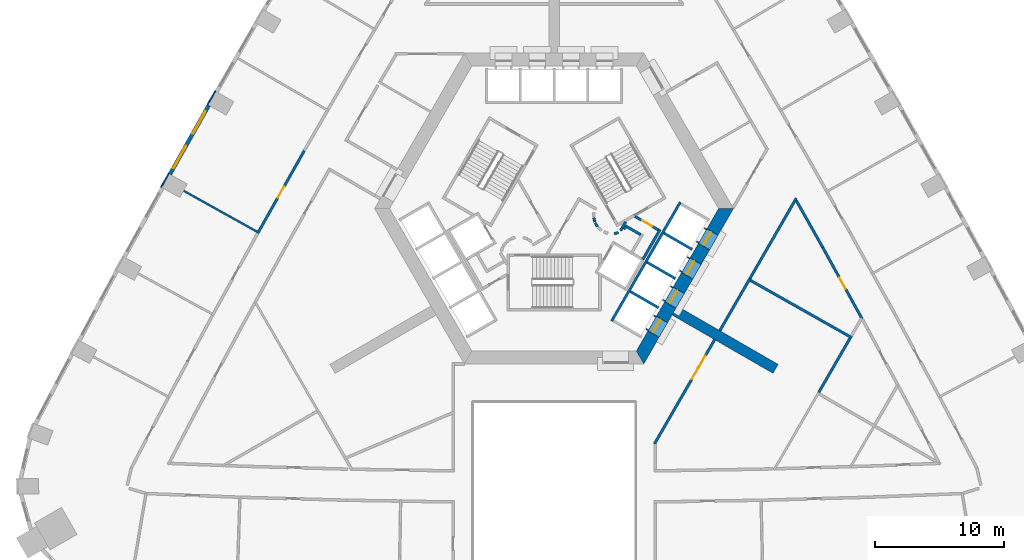
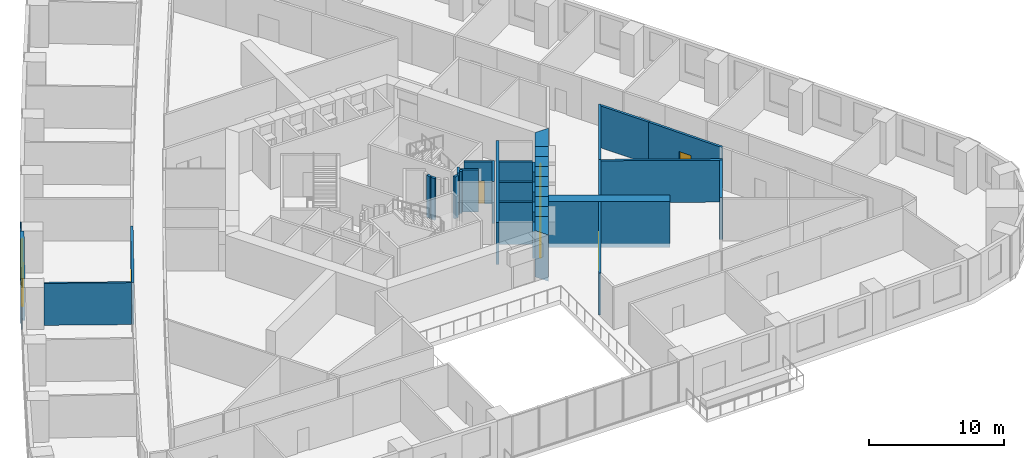
# One storey, part 7 of 15: 38 walls, 9 doors, 2 windows, 11 openings.
"""IFC4 building model written with IfcOpenShell, lengths in metres."""

from ifc_helpers import new_model, si_unit, direction, frame, frame_2d, origin, place, context, subcontext, project, spatial, polyline, rectangle, outline, extrude, material, layer, layer_set, type_object, element, fill, save


model = new_model("IFC4")

# Units and contexts
model_context = context("Model", 3, precision=1e-05, world=origin(), true_north=direction((0.0, 1.0)))
body_context = subcontext(model_context, "Body", "Model", "MODEL_VIEW")
ifc_project = project(units=[si_unit("LENGTHUNIT", "METRE"), si_unit("AREAUNIT", "SQUARE_METRE"), si_unit("VOLUMEUNIT", "CUBIC_METRE"), si_unit("PLANEANGLEUNIT", "RADIAN"), si_unit("MASSUNIT", "GRAM", prefix="KILO")], contexts=[model_context])

# Site, building, storey
site_placement = place(None, origin())
site = spatial("IfcSite", under=ifc_project, at=site_placement, CompositionType="ELEMENT")
building_placement = place(site_placement, origin())
building = spatial("IfcBuilding", under=site, at=building_placement, Name="Entoto Arch Interchange Tower", CompositionType="ELEMENT")
storey_placement = place(building_placement, frame((0.0, 0.0, 39.199951171875)))
storey = spatial("IfcBuildingStorey", under=building, at=storey_placement, Name="L07", CompositionType="ELEMENT", Elevation=39.199951171875)

# Walls
ifc_material_1 = material(Name="Concrete C60/75", Category="concrete")
ifc_layer_1 = layer(ifc_material_1, 0.800048828125)
ifc_layer_set_1 = layer_set([ifc_layer_1], Name="Concrete C60/75")
wall_type_1 = type_object("IfcWallType", Name="Buttress wall 800 C60/75", PredefinedType="SHEAR", material=ifc_layer_set_1)
wall_1_placement = place(storey_placement, frame((9.31005859375, -5.375, -0.39990234375), z_axis=(0.0, 0.0, 1.0), x_axis=(0.866017533419, -0.500013631625, 0.0)))
element("IfcWall", 1, at=wall_1_placement, inside=storey, type_object=wall_type_1, Name="Buttress wall SE L07", PredefinedType="SHEAR", context=body_context, shape_type="SweptSolid", body=[
    extrude(rectangle(XDim=8.999755859375, YDim=0.800048828125, at=frame_2d((4.5, 0.0))), origin(), (0.0, 0.0, 1.0), 4.199951171875),
])
ifc_layer_2 = layer(ifc_material_1, 1.0)
ifc_layer_set_2 = layer_set([ifc_layer_2], Name="Concrete C60/75")
wall_type_2 = type_object("IfcWallType", Name="Core wall 1000 C60/75", PredefinedType="SHEAR", material=ifc_layer_set_2)
wall_2_placement = place(storey_placement, frame((0.0, 0.0, -0.39990234375)))
element("IfcWall", 2, at=wall_2_placement, inside=storey, type_object=wall_type_2, Name="Core wall SE L07", PredefinedType="SHEAR", context=body_context, shape_type="SweptSolid", body=[
    extrude(outline(polyline([(8.116943359375, -7.43994140625), (7.251953125, -6.93994140625), (6.35107421875, -8.5), (6.927978515625, -9.5), (8.116943359375, -7.43994140625)])), origin(), (0.0, 0.0, 1.0), 4.199951171875),
])
wall_3_placement = place(storey_placement, frame((0.0, 0.0, -0.39990234375)))
element("IfcWall", 3, at=wall_3_placement, inside=storey, type_object=wall_type_2, Name="Core wall SE L07", PredefinedType="SHEAR", context=body_context, shape_type="SweptSolid", body=[
    extrude(outline(polyline([(9.4169921875, -5.18896484375), (8.551025390625, -4.68896484375), (7.902099609375, -5.81396484375), (8.76708984375, -6.31396484375), (9.4169921875, -5.18896484375)])), origin(), (0.0, 0.0, 1.0), 4.199951171875),
])
wall_4_placement = place(storey_placement, frame((0.0, 0.0, -0.39990234375)))
element("IfcWall", 4, at=wall_4_placement, inside=storey, type_object=wall_type_2, Name="Core wall SE L07", PredefinedType="SHEAR", context=body_context, shape_type="SweptSolid", body=[
    extrude(outline(polyline([(10.717041015625, -2.93701171875), (9.85107421875, -2.43701171875), (9.200927734375, -3.56298828125), (10.06689453125, -4.06298828125), (10.717041015625, -2.93701171875)])), origin(), (0.0, 0.0, 1.0), 4.199951171875),
])
wall_5_placement = place(storey_placement, frame((0.0, 0.0, -0.39990234375)))
element("IfcWall", 5, at=wall_5_placement, inside=storey, type_object=wall_type_2, Name="Core wall SE L07", PredefinedType="SHEAR", context=body_context, shape_type="SweptSolid", body=[
    extrude(outline(polyline([(12.01708984375, -0.68603515625), (11.15087890625, -0.18603515625), (10.5009765625, -1.31103515625), (11.366943359375, -1.81103515625), (12.01708984375, -0.68603515625)])), origin(), (0.0, 0.0, 1.0), 4.199951171875),
])
wall_6_placement = place(storey_placement, frame((0.0, 0.0, -0.39990234375)))
element("IfcWall", 6, at=wall_6_placement, inside=storey, type_object=wall_type_2, Name="Core wall SE L07", PredefinedType="SHEAR", context=body_context, shape_type="SweptSolid", body=[
    extrude(outline(polyline([(11.801025390625, 0.93994140625), (12.6669921875, 0.43994140625), (13.85595703125, 2.5), (12.701904296875, 2.5), (11.801025390625, 0.93994140625)])), origin(), (0.0, 0.0, 1.0), 4.199951171875),
])
wall_7_placement = place(storey_placement, frame((0.0, 0.0, 3.60009765625)))
element("IfcWall", 7, at=wall_7_placement, inside=storey, type_object=wall_type_2, Name="Core wall lintel SE L07", PredefinedType="SHEAR", context=body_context, shape_type="SweptSolid", body=[
    extrude(outline(polyline([(8.76708984375, -6.31396484375), (7.902099609375, -5.81396484375), (7.251953125, -6.93994140625), (8.116943359375, -7.43994140625), (8.76708984375, -6.31396484375)])), origin(), (0.0, 0.0, 1.0), 0.199951171875),
])
wall_8_placement = place(storey_placement, frame((0.0, 0.0, 3.60009765625)))
element("IfcWall", 8, at=wall_8_placement, inside=storey, type_object=wall_type_2, Name="Core wall lintel SE L07", PredefinedType="SHEAR", context=body_context, shape_type="SweptSolid", body=[
    extrude(outline(polyline([(10.06689453125, -4.06298828125), (9.200927734375, -3.56298828125), (8.551025390625, -4.68896484375), (9.4169921875, -5.18896484375), (10.06689453125, -4.06298828125)])), origin(), (0.0, 0.0, 1.0), 0.199951171875),
])
wall_9_placement = place(storey_placement, frame((0.0, 0.0, 3.60009765625)))
element("IfcWall", 9, at=wall_9_placement, inside=storey, type_object=wall_type_2, Name="Core wall lintel SE L07", PredefinedType="SHEAR", context=body_context, shape_type="SweptSolid", body=[
    extrude(outline(polyline([(11.366943359375, -1.81103515625), (10.5009765625, -1.31103515625), (9.85107421875, -2.43701171875), (10.717041015625, -2.93701171875), (11.366943359375, -1.81103515625)])), origin(), (0.0, 0.0, 1.0), 0.199951171875),
])
wall_10_placement = place(storey_placement, frame((0.0, 0.0, 3.60009765625)))
element("IfcWall", 10, at=wall_10_placement, inside=storey, type_object=wall_type_2, Name="Core wall lintel SE L07", PredefinedType="SHEAR", context=body_context, shape_type="SweptSolid", body=[
    extrude(outline(polyline([(12.6669921875, 0.43994140625), (11.801025390625, 0.93994140625), (11.15087890625, -0.18603515625), (12.01708984375, -0.68603515625), (12.6669921875, 0.43994140625)])), origin(), (0.0, 0.0, 1.0), 0.199951171875),
])

# Wall, opening, door
ifc_material_2 = material(Name="Concrete C40/50", Category="concrete")
ifc_layer_3 = layer(ifc_material_2, 1.199951171875)
ifc_layer_set_3 = layer_set([ifc_layer_3], Name="Concrete C40/50")
wall_type_3 = type_object("IfcWallType", Name="LIFT LANDING INFILL WALL", PredefinedType="STANDARD", material=ifc_layer_set_3)
wall_11_placement = place(storey_placement, frame((7.597900390625, -7.139892578125, 0.0), z_axis=(0.0, 0.0, 1.0), x_axis=(0.500362116554, 0.865816234728, 0.0)))
wall_11 = element("IfcWall", 11, at=wall_11_placement, inside=storey, type_object=wall_type_3, Name="Lift landing infill wall LR5 L07", PredefinedType="STANDARD", context=body_context, shape_type="SweptSolid", body=[
    extrude(rectangle(XDim=1.29931640625, YDim=1.199951171875, at=frame_2d((0.649658203125, 0.0))), origin(), (0.0, 0.0, 1.0), 2.400146484375),
])
opening_1_placement = place(wall_11_placement, frame((0.10009765625, 0.0, 0.0)))
opening_1 = element("IfcOpeningElement", 12, at=opening_1_placement, cuts=wall_11, Name="Opening LD-LR5-L07", PredefinedType="OPENING", context=body_context, shape_type="SweptSolid", body=[
    extrude(rectangle(XDim=1.10009765625, YDim=2.300048828125, at=frame_2d((0.550048828125, 1.14990234375))), frame((0.0, 0.60986328125, 0.0), z_axis=(0.0, -1.0, 0.0), x_axis=(1.0, 0.0, 0.0)), (0.0, 0.0, 1.0), 1.219970703125),
])
ifc_material_3 = material(Name="Stainless steel 1.4301 panels", Category="steel")
door_type_1 = type_object("IfcDoorType", Name="LIFT LANDING DOOR LD2 1100x2300", OperationType="SLIDING_TO_LEFT", PredefinedType="DOOR", material=ifc_material_3)
door_1_placement = place(opening_1_placement, origin())
door_1 = element("IfcDoor", 13, at=door_1_placement, inside=storey, type_object=door_type_1, Name="Lift landing door LR5 L07", OperationType="SLIDING_TO_LEFT", OverallHeight=2.300048828125, OverallWidth=1.10009765625, PredefinedType="DOOR", context=body_context, shape_type="SweptSolid", body=[
    extrude(rectangle(XDim=1.10009765625, YDim=2.300048828125, at=frame_2d((0.550048828125, 1.14990234375))), frame((0.0, 0.02490234375, 0.0), z_axis=(0.0, -1.0, 0.0), x_axis=(1.0, 0.0, 0.0)), (0.0, 0.0, 1.0), 0.050048828125),
])
fill(opening_1, door_1)

wall_12_placement = place(storey_placement, frame((8.89794921875, -4.888916015625, 0.0), z_axis=(0.0, 0.0, 1.0), x_axis=(0.500036693733, 0.866004217611, 0.0)))
wall_12 = element("IfcWall", 14, at=wall_12_placement, inside=storey, type_object=wall_type_3, Name="Lift landing infill wall LR6 L07", PredefinedType="STANDARD", context=body_context, shape_type="SweptSolid", body=[
    extrude(rectangle(XDim=1.30029296875, YDim=1.199951171875, at=frame_2d((0.650146484375, 0.0))), origin(), (0.0, 0.0, 1.0), 2.400146484375),
])
opening_2_placement = place(wall_12_placement, frame((0.10009765625, 0.0, 0.0)))
opening_2 = element("IfcOpeningElement", 15, at=opening_2_placement, cuts=wall_12, Name="Opening LD-LR6-L07", PredefinedType="OPENING", context=body_context, shape_type="SweptSolid", body=[
    extrude(rectangle(XDim=1.10009765625, YDim=2.300048828125, at=frame_2d((0.550048828125, 1.14990234375))), frame((0.0, 0.60986328125, 0.0), z_axis=(0.0, -1.0, 0.0), x_axis=(1.0, 0.0, 0.0)), (0.0, 0.0, 1.0), 1.219970703125),
])
door_2_placement = place(opening_2_placement, origin())
door_2 = element("IfcDoor", 16, at=door_2_placement, inside=storey, type_object=door_type_1, Name="Lift landing door LR6 L07", OperationType="SLIDING_TO_LEFT", OverallHeight=2.300048828125, OverallWidth=1.10009765625, PredefinedType="DOOR", context=body_context, shape_type="SweptSolid", body=[
    extrude(rectangle(XDim=1.10009765625, YDim=2.300048828125, at=frame_2d((0.550048828125, 1.14990234375))), frame((0.0, 0.02490234375, 0.0), z_axis=(0.0, -1.0, 0.0), x_axis=(1.0, 0.0, 0.0)), (0.0, 0.0, 1.0), 0.050048828125),
])
fill(opening_2, door_2)

wall_13_placement = place(storey_placement, frame((10.197998046875, -2.636962890625, 0.0), z_axis=(0.0, 0.0, 1.0), x_axis=(0.49989585183, 0.866085525409, 0.0)))
wall_13 = element("IfcWall", 17, at=wall_13_placement, inside=storey, type_object=wall_type_3, Name="Lift landing infill wall LR7 L07", PredefinedType="STANDARD", context=body_context, shape_type="SweptSolid", body=[
    extrude(rectangle(XDim=1.300048828125, YDim=1.199951171875, at=frame_2d((0.64990234375, 0.0))), origin(), (0.0, 0.0, 1.0), 2.400146484375),
])
opening_3_placement = place(wall_13_placement, frame((0.10009765625, 0.0, 0.0)))
opening_3 = element("IfcOpeningElement", 18, at=opening_3_placement, cuts=wall_13, Name="Opening LD-LR7-L07", PredefinedType="OPENING", context=body_context, shape_type="SweptSolid", body=[
    extrude(rectangle(XDim=1.10009765625, YDim=2.300048828125, at=frame_2d((0.550048828125, 1.14990234375))), frame((0.0, 0.60986328125, 0.0), z_axis=(0.0, -1.0, 0.0), x_axis=(1.0, 0.0, 0.0)), (0.0, 0.0, 1.0), 1.219970703125),
])
door_3_placement = place(opening_3_placement, origin())
door_3 = element("IfcDoor", 19, at=door_3_placement, inside=storey, type_object=door_type_1, Name="Lift landing door LR7 L07", OperationType="SLIDING_TO_LEFT", OverallHeight=2.300048828125, OverallWidth=1.10009765625, PredefinedType="DOOR", context=body_context, shape_type="SweptSolid", body=[
    extrude(rectangle(XDim=1.10009765625, YDim=2.300048828125, at=frame_2d((0.550048828125, 1.14990234375))), frame((0.0, 0.02490234375, 0.0), z_axis=(0.0, -1.0, 0.0), x_axis=(1.0, 0.0, 0.0)), (0.0, 0.0, 1.0), 0.050048828125),
])
fill(opening_3, door_3)

wall_14_placement = place(storey_placement, frame((11.498046875, -0.385009765625, 0.0), z_axis=(0.0, 0.0, 1.0), x_axis=(0.500221244143, 0.865897630733, 0.0)))
wall_14 = element("IfcWall", 20, at=wall_14_placement, inside=storey, type_object=wall_type_3, Name="Lift landing infill wall LR8 L07", PredefinedType="STANDARD", context=body_context, shape_type="SweptSolid", body=[
    extrude(rectangle(XDim=1.29931640625, YDim=1.199951171875, at=frame_2d((0.649658203125, 0.0))), origin(), (0.0, 0.0, 1.0), 2.400146484375),
])
opening_4_placement = place(wall_14_placement, frame((0.10009765625, 0.0, 0.0)))
opening_4 = element("IfcOpeningElement", 21, at=opening_4_placement, cuts=wall_14, Name="Opening LD-LR8-L07", PredefinedType="OPENING", context=body_context, shape_type="SweptSolid", body=[
    extrude(rectangle(XDim=1.10009765625, YDim=2.300048828125, at=frame_2d((0.550048828125, 1.14990234375))), frame((0.0, 0.60986328125, 0.0), z_axis=(0.0, -1.0, 0.0), x_axis=(1.0, 0.0, 0.0)), (0.0, 0.0, 1.0), 1.219970703125),
])
door_4_placement = place(opening_4_placement, origin())
door_4 = element("IfcDoor", 22, at=door_4_placement, inside=storey, type_object=door_type_1, Name="Lift landing door LR8 L07", OperationType="SLIDING_TO_LEFT", OverallHeight=2.300048828125, OverallWidth=1.10009765625, PredefinedType="DOOR", context=body_context, shape_type="SweptSolid", body=[
    extrude(rectangle(XDim=1.10009765625, YDim=2.300048828125, at=frame_2d((0.550048828125, 1.14990234375))), frame((0.0, 0.02490234375, 0.0), z_axis=(0.0, -1.0, 0.0), x_axis=(1.0, 0.0, 0.0)), (0.0, 0.0, 1.0), 0.050048828125),
])
fill(opening_4, door_4)

# Walls
ifc_layer_4 = layer(ifc_material_2, 0.199951171875)
ifc_layer_set_4 = layer_set([ifc_layer_4], Name="Concrete C40/50")
wall_type_4 = type_object("IfcWallType", Name="LIFT SHAFT WALL 200", PredefinedType="STANDARD", material=ifc_layer_set_4)
wall_15_placement = place(storey_placement, frame((4.450927734375, -6.18994140625, 0.0), z_axis=(0.0, 0.0, 1.0), x_axis=(0.50000090737, 0.866024879913, 0.0)))
element("IfcWall", 23, at=wall_15_placement, inside=storey, type_object=wall_type_4, Name="Shaft wall SE3 front", PredefinedType="STANDARD", context=body_context, shape_type="SweptSolid", body=[
    extrude(rectangle(XDim=10.60009765625, YDim=0.199951171875, at=frame_2d((5.300048828125, 0.0))), origin(), (0.0, 0.0, 1.0), 3.800048828125),
])
for number, where, z_axis, x_axis, name in (
    (24, (5.887939453125, -3.902099609375, 0.0), (0.0, 0.0, 1.0), (0.866022959057, -0.500004234368, 0.0), "Shaft wall SE3 cross 2"),
    (25, (7.18798828125, -1.64990234375, 0.0), (0.0, 0.0, 1.0), (0.866022959057, -0.500004234368, 0.0), "Shaft wall SE3 cross 3"),
    (26, (8.488037109375, 0.60205078125, 0.0), (0.0, 0.0, 1.0), (0.866022959057, -0.500004234368, 0.0), "Shaft wall SE3 cross 4"),
):
    element("IfcWall", number, at=place(storey_placement, frame(where, z_axis=z_axis, x_axis=x_axis)), inside=storey, type_object=wall_type_4, Name=name, PredefinedType="STANDARD", context=body_context, shape_type="SweptSolid", body=[
        extrude(rectangle(XDim=2.5, YDim=0.199951171875, at=frame_2d((1.25, 0.0))), origin(), (0.0, 0.0, 1.0), 3.800048828125),
    ])
ifc_material_4 = material(Name="Gypsum board partition on steel studs", Category="steel")
ifc_layer_5 = layer(ifc_material_4, 0.14990234375)
ifc_layer_set_5 = layer_set([ifc_layer_5], Name="Gypsum board partition on steel studs")
wall_type_5 = type_object("IfcWallType", Name="PARTITION 150", PredefinedType="PARTITIONING", material=ifc_layer_set_5)
wall_16_placement = place(storey_placement, frame((-22.93505859375, 0.7119140625, 0.0), z_axis=(0.0, 0.0, 1.0), x_axis=(-0.873395616379, 0.487011393389, 0.0)))
element("IfcWall", 27, at=wall_16_placement, inside=storey, type_object=wall_type_5, Name="wall:L07:p141", PredefinedType="PARTITIONING", context=body_context, shape_type="SweptSolid", body=[
    extrude(rectangle(XDim=6.48046875, YDim=0.14990234375, at=frame_2d((3.240234375, 0.0))), origin(), (0.0, 0.0, 1.0), 3.800048828125),
])

# Wall, opening, door
ifc_layer_6 = layer(ifc_material_4, 0.199951171875)
ifc_layer_set_6 = layer_set([ifc_layer_6], Name="Gypsum board partition on steel studs")
wall_type_6 = type_object("IfcWallType", Name="PARTITION 200", PredefinedType="PARTITIONING", material=ifc_layer_set_6)
wall_17_placement = place(storey_placement, frame((23.802978515625, -6.0439453125, 0.0), z_axis=(0.0, 0.0, 1.0), x_axis=(-0.482588436287, 0.875847247619, 0.0)))
wall_17 = element("IfcWall", 28, at=wall_17_placement, inside=storey, type_object=wall_type_6, Name="wall:L07:p016", PredefinedType="PARTITIONING", context=body_context, shape_type="SweptSolid", body=[
    extrude(rectangle(XDim=6.32421875, YDim=0.199951171875, at=frame_2d((3.162109375, 0.0))), origin(), (0.0, 0.0, 1.0), 3.800048828125),
])
opening_5_placement = place(wall_17_placement, frame((2.662109375, 0.0, 0.0)))
opening_5 = element("IfcOpeningElement", 29, at=opening_5_placement, cuts=wall_17, Name="Opening L07-D24", PredefinedType="OPENING", context=body_context, shape_type="SweptSolid", body=[
    extrude(rectangle(XDim=1.0, YDim=2.10009765625, at=frame_2d((0.5, 1.050048828125))), frame((0.0, 0.10986328125, 0.0), z_axis=(0.0, -1.0, 0.0), x_axis=(1.0, 0.0, 0.0)), (0.0, 0.0, 1.0), 0.219970703125),
])
ifc_material_5 = material(Name="Timber door leaf in Steel S235 frame", Category="steel")
door_type_2 = type_object("IfcDoorType", Name="DOOR DS-10 1000x2100", OperationType="SINGLE_SWING_LEFT", PredefinedType="DOOR", material=ifc_material_5)
door_5_placement = place(opening_5_placement, origin())
door_5 = element("IfcDoor", 30, at=door_5_placement, inside=storey, type_object=door_type_2, Name="door:L07:24", OperationType="SINGLE_SWING_LEFT", OverallHeight=2.10009765625, OverallWidth=1.0, PredefinedType="DOOR", context=body_context, shape_type="SweptSolid", body=[
    extrude(rectangle(XDim=1.0, YDim=2.10009765625, at=frame_2d((0.5, 1.050048828125))), frame((0.0, 0.02490234375, 0.0), z_axis=(0.0, -1.0, 0.0), x_axis=(1.0, 0.0, 0.0)), (0.0, 0.0, 1.0), 0.050048828125),
])
fill(opening_5, door_5)

# Wall
wall_18_placement = place(storey_placement, frame((20.7509765625, -0.5048828125, 0.0), z_axis=(0.0, 0.0, 1.0), x_axis=(-0.491284712602, 0.870999041999, 0.0)))
element("IfcWall", 31, at=wall_18_placement, inside=storey, type_object=wall_type_6, Name="wall:L07:p017", PredefinedType="PARTITIONING", context=body_context, shape_type="SweptSolid", body=[
    extrude(rectangle(XDim=4.166259765625, YDim=0.199951171875, at=frame_2d((2.0830078125, 0.0))), origin(), (0.0, 0.0, 1.0), 3.800048828125),
])

# Wall, opening, door
wall_19_placement = place(storey_placement, frame((-22.884033203125, 0.597900390625, 0.0), z_axis=(0.0, 0.0, 1.0), x_axis=(0.491206176175, 0.871043335597, 0.0)))
wall_19 = element("IfcWall", 32, at=wall_19_placement, inside=storey, type_object=wall_type_6, Name="wall:L07:p062", PredefinedType="PARTITIONING", context=body_context, shape_type="SweptSolid", body=[
    extrude(rectangle(XDim=7.308837890625, YDim=0.199951171875, at=frame_2d((3.654296875, 0.0))), origin(), (0.0, 0.0, 1.0), 3.800048828125),
])
opening_6_placement = place(wall_19_placement, frame((3.154052734375, 0.0, 0.0)))
opening_6 = element("IfcOpeningElement", 33, at=opening_6_placement, cuts=wall_19, Name="Opening L07-D16", PredefinedType="OPENING", context=body_context, shape_type="SweptSolid", body=[
    extrude(rectangle(XDim=1.0, YDim=2.10009765625, at=frame_2d((0.5, 1.050048828125))), frame((0.0, 0.10986328125, 0.0), z_axis=(0.0, -1.0, 0.0), x_axis=(1.0, 0.0, 0.0)), (0.0, 0.0, 1.0), 0.219970703125),
])
door_6_placement = place(opening_6_placement, origin())
door_6 = element("IfcDoor", 34, at=door_6_placement, inside=storey, type_object=door_type_2, Name="door:L07:16", OperationType="SINGLE_SWING_RIGHT", OverallHeight=2.10009765625, OverallWidth=1.0, PredefinedType="DOOR", context=body_context, shape_type="SweptSolid", body=[
    extrude(rectangle(XDim=1.0, YDim=2.10009765625, at=frame_2d((0.5, 1.050048828125))), frame((0.0, 0.02490234375, 0.0), z_axis=(0.0, -1.0, 0.0), x_axis=(1.0, 0.0, 0.0)), (0.0, 0.0, 1.0), 0.050048828125),
])
fill(opening_6, door_6)

# Walls
wall_20_placement = place(storey_placement, frame((5.389892578125, 0.89794921875, 0.0), z_axis=(0.0, 0.0, 1.0), x_axis=(0.673828488714, 0.738887791073, 0.0)))
element("IfcWall", 35, at=wall_20_placement, inside=storey, type_object=wall_type_6, Name="wall:L07:p073", PredefinedType="PARTITIONING", context=body_context, shape_type="SweptSolid", body=[
    extrude(rectangle(XDim=0.2626953125, YDim=0.199951171875, at=frame_2d((0.13134765625, 0.0))), origin(), (0.0, 0.0, 1.0), 3.800048828125),
])
wall_21_placement = place(storey_placement, frame((5.4990234375, 1.172119140625, 0.0), z_axis=(0.0, 0.0, 1.0), x_axis=(0.866333505267, -0.499465972466, 0.0)))
element("IfcWall", 36, at=wall_21_placement, inside=storey, type_object=wall_type_6, Name="wall:L07:p074", PredefinedType="PARTITIONING", context=body_context, shape_type="SweptSolid", body=[
    extrude(rectangle(XDim=1.37353515625, YDim=0.199951171875, at=frame_2d((0.686767578125, 0.0))), origin(), (0.0, 0.0, 1.0), 3.800048828125),
])

# Wall, opening, door
wall_22_placement = place(storey_placement, frame((6.25, 1.89404296875, 0.0), z_axis=(0.0, 0.0, 1.0), x_axis=(0.866043184279, -0.499969202016, 0.0)))
wall_22 = element("IfcWall", 37, at=wall_22_placement, inside=storey, type_object=wall_type_6, Name="wall:L07:p076", PredefinedType="PARTITIONING", context=body_context, shape_type="SweptSolid", body=[
    extrude(rectangle(XDim=2.084228515625, YDim=0.199951171875, at=frame_2d((1.0419921875, 0.0))), origin(), (0.0, 0.0, 1.0), 3.800048828125),
])
opening_7_placement = place(wall_22_placement, frame((0.64208984375, 0.0, 0.0)))
opening_7 = element("IfcOpeningElement", 38, at=opening_7_placement, cuts=wall_22, Name="Opening L07-D40", PredefinedType="OPENING", context=body_context, shape_type="SweptSolid", body=[
    extrude(rectangle(XDim=0.89990234375, YDim=2.10009765625, at=frame_2d((0.449951171875, 1.050048828125))), frame((0.0, 0.10986328125, 0.0), z_axis=(0.0, -1.0, 0.0), x_axis=(1.0, 0.0, 0.0)), (0.0, 0.0, 1.0), 0.219970703125),
])
door_type_3 = type_object("IfcDoorType", Name="DOOR DS-09 900x2100", OperationType="SINGLE_SWING_LEFT", PredefinedType="DOOR", material=ifc_material_5)
door_7_placement = place(opening_7_placement, origin())
door_7 = element("IfcDoor", 39, at=door_7_placement, inside=storey, type_object=door_type_3, Name="door:L07:40", OperationType="SINGLE_SWING_LEFT", OverallHeight=2.10009765625, OverallWidth=0.89990234375, PredefinedType="DOOR", context=body_context, shape_type="SweptSolid", body=[
    extrude(rectangle(XDim=0.89990234375, YDim=2.10009765625, at=frame_2d((0.449951171875, 1.050048828125))), frame((0.0, 0.02490234375, 0.0), z_axis=(0.0, -1.0, 0.0), x_axis=(1.0, 0.0, 0.0)), (0.0, 0.0, 1.0), 0.050048828125),
])
fill(opening_7, door_7)

# Walls
wall_23_placement = place(storey_placement, frame((8.19189453125, 0.887939453125, 0.0), z_axis=(0.0, 0.0, 1.0), x_axis=(-0.499940625693, -0.866059680843, 0.0)))
element("IfcWall", 40, at=wall_23_placement, inside=storey, type_object=wall_type_6, Name="wall:L07:p077", PredefinedType="PARTITIONING", context=body_context, shape_type="SweptSolid", body=[
    extrude(rectangle(XDim=2.679931640625, YDim=0.199951171875, at=frame_2d((1.33984375, 0.0))), origin(), (0.0, 0.0, 1.0), 3.800048828125),
])
wall_24_placement = place(storey_placement, frame((5.135009765625, 0.79296875, 0.0), z_axis=(0.0, 0.0, 1.0), x_axis=(0.499526442893, 0.866298639529, 0.0)))
element("IfcWall", 41, at=wall_24_placement, inside=storey, type_object=wall_type_6, Name="wall:L07:p078", PredefinedType="PARTITIONING", context=body_context, shape_type="SweptSolid", body=[
    extrude(rectangle(XDim=0.790771484375, YDim=0.199951171875, at=frame_2d((0.3955078125, 0.0))), origin(), (0.0, 0.0, 1.0), 3.800048828125),
])
wall_25_placement = place(storey_placement, frame((3.070068359375, 1.785888671875, 0.0), z_axis=(0.0, 0.0, 1.0), x_axis=(0.242705583207, -0.970099994784, 0.0)))
element("IfcWall", 42, at=wall_25_placement, inside=storey, type_object=wall_type_6, Name="wall:L07:p091", PredefinedType="PARTITIONING", context=body_context, shape_type="SweptSolid", body=[
    extrude(rectangle(XDim=0.337890625, YDim=0.199951171875, at=frame_2d((0.1689453125, 0.0))), origin(), (0.0, 0.0, 1.0), 3.800048828125),
])
wall_26_placement = place(storey_placement, frame((3.181884765625, 1.387939453125, 0.0), z_axis=(0.0, 0.0, 1.0), x_axis=(0.512474702713, -0.85870232274, 0.0)))
element("IfcWall", 43, at=wall_26_placement, inside=storey, type_object=wall_type_6, Name="wall:L07:p092", PredefinedType="PARTITIONING", context=body_context, shape_type="SweptSolid", body=[
    extrude(rectangle(XDim=0.337646484375, YDim=0.199951171875, at=frame_2d((0.1689453125, 0.0))), origin(), (0.0, 0.0, 1.0), 3.800048828125),
])
wall_27_placement = place(storey_placement, frame((4.64404296875, 0.56396484375, 0.0), z_axis=(0.0, 0.0, 1.0), x_axis=(0.969929076366, 0.243387729394, 0.0)))
element("IfcWall", 44, at=wall_27_placement, inside=storey, type_object=wall_type_6, Name="wall:L07:p095", PredefinedType="PARTITIONING", context=body_context, shape_type="SweptSolid", body=[
    extrude(rectangle(XDim=0.337158203125, YDim=0.199951171875, at=frame_2d((0.16845703125, 0.0))), origin(), (0.0, 0.0, 1.0), 3.800048828125),
])
wall_28_placement = place(storey_placement, frame((15.1220703125, -2.907958984375, 0.0), z_axis=(0.0, 0.0, 1.0), x_axis=(-0.499922740561, -0.866070004948, 0.0)))
element("IfcWall", 45, at=wall_28_placement, inside=storey, type_object=wall_type_6, Name="wall:L07:p111", PredefinedType="PARTITIONING", context=body_context, shape_type="SweptSolid", body=[
    extrude(rectangle(XDim=4.642822265625, YDim=0.199951171875, at=frame_2d((2.3212890625, 0.0))), origin(), (0.0, 0.0, 1.0), 3.800048828125),
])
wall_29_placement = place(storey_placement, frame((18.705078125, 3.298095703125, 0.0), z_axis=(0.0, 0.0, 1.0), x_axis=(-0.499993769413, -0.866029000986, 0.0)))
element("IfcWall", 46, at=wall_29_placement, inside=storey, type_object=wall_type_6, Name="wall:L07:p112", PredefinedType="PARTITIONING", context=body_context, shape_type="SweptSolid", body=[
    extrude(rectangle(XDim=7.166015625, YDim=0.199951171875, at=frame_2d((3.5830078125, 0.0))), origin(), (0.0, 0.0, 1.0), 3.800048828125),
])
wall_30_placement = place(storey_placement, frame((15.072021484375, -2.993896484375, 0.0), z_axis=(0.0, 0.0, 1.0), x_axis=(0.87054185148, -0.49209438609, 0.0)))
element("IfcWall", 47, at=wall_30_placement, inside=storey, type_object=wall_type_6, Name="wall:L07:p113", PredefinedType="PARTITIONING", context=body_context, shape_type="SweptSolid", body=[
    extrude(rectangle(XDim=9.099853515625, YDim=0.199951171875, at=frame_2d((4.5498046875, 0.0))), origin(), (0.0, 0.0, 1.0), 3.800048828125),
])
wall_31_placement = place(storey_placement, frame((22.85693359375, -7.510009765625, 0.0), z_axis=(0.0, 0.0, 1.0), x_axis=(-0.499954636112, -0.866051593054, 0.0)))
element("IfcWall", 48, at=wall_31_placement, inside=storey, type_object=wall_type_6, Name="wall:L07:p115", PredefinedType="PARTITIONING", context=body_context, shape_type="SweptSolid", body=[
    extrude(rectangle(XDim=4.82421875, YDim=0.199951171875, at=frame_2d((2.412109375, 0.0))), origin(), (0.0, 0.0, 1.0), 3.800048828125),
])

# Wall, openings, doors
wall_32_placement = place(storey_placement, frame((12.40087890625, -7.62109375, 0.0), z_axis=(0.0, 0.0, 1.0), x_axis=(-0.499983724212, -0.866034800411, 0.0)))
wall_32 = element("IfcWall", 49, at=wall_32_placement, inside=storey, type_object=wall_type_6, Name="wall:L07:p111", PredefinedType="PARTITIONING", context=body_context, shape_type="SweptSolid", body=[
    extrude(rectangle(XDim=9.302001953125, YDim=0.199951171875, at=frame_2d((4.65087890625, 0.0))), origin(), (0.0, 0.0, 1.0), 3.800048828125),
])
opening_8_placement = place(wall_32_placement, frame((1.428955078125, 0.0, 0.0)))
opening_8 = element("IfcOpeningElement", 50, at=opening_8_placement, cuts=wall_32, Name="Opening L07-D23", PredefinedType="OPENING", context=body_context, shape_type="SweptSolid", body=[
    extrude(rectangle(XDim=1.0, YDim=2.10009765625, at=frame_2d((0.5, 1.050048828125))), frame((0.0, 0.10986328125, 0.0), z_axis=(0.0, -1.0, 0.0), x_axis=(1.0, 0.0, 0.0)), (0.0, 0.0, 1.0), 0.219970703125),
])
opening_9_placement = place(wall_32_placement, frame((2.529052734375, 0.0, 0.0)))
opening_9 = element("IfcOpeningElement", 51, at=opening_9_placement, cuts=wall_32, Name="Opening L07-D42", PredefinedType="OPENING", context=body_context, shape_type="SweptSolid", body=[
    extrude(rectangle(XDim=1.0, YDim=2.10009765625, at=frame_2d((0.5, 1.050048828125))), frame((0.0, 0.10986328125, 0.0), z_axis=(0.0, -1.0, 0.0), x_axis=(1.0, 0.0, 0.0)), (0.0, 0.0, 1.0), 0.219970703125),
])
door_8_placement = place(opening_8_placement, origin())
door_8 = element("IfcDoor", 52, at=door_8_placement, inside=storey, type_object=door_type_2, Name="door:L07:23", OperationType="SINGLE_SWING_LEFT", OverallHeight=2.10009765625, OverallWidth=1.0, PredefinedType="DOOR", context=body_context, shape_type="SweptSolid", body=[
    extrude(rectangle(XDim=1.0, YDim=2.10009765625, at=frame_2d((0.5, 1.050048828125))), frame((0.0, 0.02490234375, 0.0), z_axis=(0.0, -1.0, 0.0), x_axis=(1.0, 0.0, 0.0)), (0.0, 0.0, 1.0), 0.050048828125),
])
fill(opening_8, door_8)
door_9_placement = place(opening_9_placement, origin())
door_9 = element("IfcDoor", 53, at=door_9_placement, inside=storey, type_object=door_type_2, Name="door:L07:42", OperationType="SINGLE_SWING_RIGHT", OverallHeight=2.10009765625, OverallWidth=1.0, PredefinedType="DOOR", context=body_context, shape_type="SweptSolid", body=[
    extrude(rectangle(XDim=1.0, YDim=2.10009765625, at=frame_2d((0.5, 1.050048828125))), frame((0.0, 0.02490234375, 0.0), z_axis=(0.0, -1.0, 0.0), x_axis=(1.0, 0.0, 0.0)), (0.0, 0.0, 1.0), 0.050048828125),
])
fill(opening_9, door_9)

# Wall, openings, windows
ifc_material_6 = material(Name="Welded tuff (ignimbrite) cladding, warm buff", Category="masonry")
ifc_layer_7 = layer(ifc_material_6, 0.300048828125)
ifc_layer_set_7 = layer_set([ifc_layer_7], Name="Welded tuff (ignimbrite) cladding, warm buff")
wall_type_7 = type_object("IfcWallType", Name="STONE INFILL WALL 300", PredefinedType="STANDARD", material=ifc_layer_set_7)
wall_33_placement = place(storey_placement, frame((-26.6669921875, 10.48193359375, 0.0), z_axis=(0.0, 0.0, 1.0), x_axis=(-0.491278487323, -0.871002553322, 0.0)))
wall_33 = element("IfcWall", 54, at=wall_33_placement, inside=storey, type_object=wall_type_7, Name="Facade wall NW-06 L07", PredefinedType="STANDARD", context=body_context, shape_type="SweptSolid", body=[
    extrude(rectangle(XDim=6.116943359375, YDim=0.300048828125, at=frame_2d((3.05859375, 0.0))), origin(), (0.0, 0.0, 1.0), 3.800048828125),
])
opening_10_placement = place(wall_33_placement, frame((0.529052734375, 0.0, 0.89990234375)))
opening_10 = element("IfcOpeningElement", 55, at=opening_10_placement, cuts=wall_33, Name="Opening WO-C", PredefinedType="OPENING", context=body_context, shape_type="SweptSolid", body=[
    extrude(rectangle(XDim=2.0, YDim=2.60009765625, at=frame_2d((1.0, 1.300048828125))), frame((0.0, 0.16015625, 0.0), z_axis=(0.0, -1.0, 0.0), x_axis=(1.0, 0.0, 0.0)), (0.0, 0.0, 1.0), 0.320068359375),
])
opening_11_placement = place(wall_33_placement, frame((3.587890625, 0.0, 0.89990234375)))
opening_11 = element("IfcOpeningElement", 56, at=opening_11_placement, cuts=wall_33, Name="Opening WO-C", PredefinedType="OPENING", context=body_context, shape_type="SweptSolid", body=[
    extrude(rectangle(XDim=2.0, YDim=2.60009765625, at=frame_2d((1.0, 1.300048828125))), frame((0.0, 0.16015625, 0.0), z_axis=(0.0, -1.0, 0.0), x_axis=(1.0, 0.0, 0.0)), (0.0, 0.0, 1.0), 0.320068359375),
])
ifc_material_7 = material(Name="Clear glass, low-e double glazed", Category="glass")
window_type = type_object("IfcWindowType", Name="WINDOW WO-C 2000x2600", PartitioningType="DOUBLE_PANEL_VERTICAL", PredefinedType="WINDOW", material=ifc_material_7)
window_1_placement = place(opening_10_placement, origin())
window_1 = element("IfcWindow", 57, at=window_1_placement, inside=storey, type_object=window_type, Name="Window WO-C NW-06 L07", OverallHeight=2.60009765625, OverallWidth=2.0, PartitioningType="SINGLE_PANEL", PredefinedType="WINDOW", context=body_context, shape_type="SweptSolid", body=[
    extrude(rectangle(XDim=2.0, YDim=2.60009765625, at=frame_2d((1.0, 1.300048828125))), frame((0.0, 0.030029296875, 0.0), z_axis=(0.0, -1.0, 0.0), x_axis=(1.0, 0.0, 0.0)), (0.0, 0.0, 1.0), 0.06005859375),
])
fill(opening_10, window_1)
window_2_placement = place(opening_11_placement, origin())
window_2 = element("IfcWindow", 58, at=window_2_placement, inside=storey, type_object=window_type, Name="Window WO-C NW-06 L07", OverallHeight=2.60009765625, OverallWidth=2.0, PartitioningType="SINGLE_PANEL", PredefinedType="WINDOW", context=body_context, shape_type="SweptSolid", body=[
    extrude(rectangle(XDim=2.0, YDim=2.60009765625, at=frame_2d((1.0, 1.300048828125))), frame((0.0, 0.030029296875, 0.0), z_axis=(0.0, -1.0, 0.0), x_axis=(1.0, 0.0, 0.0)), (0.0, 0.0, 1.0), 0.06005859375),
])
fill(opening_11, window_2)

# Walls
ifc_layer_8 = layer(ifc_material_6, 0.10009765625)
ifc_layer_set_8 = layer_set([ifc_layer_8], Name="Welded tuff (ignimbrite) cladding, warm buff")
wall_type_8 = type_object("IfcWallType", Name="STONE PIER CLADDING 100", PredefinedType="STANDARD", material=ifc_layer_set_8)
wall_34_placement = place(storey_placement, frame((-26.162109375, 11.573974609375, 0.0), z_axis=(0.0, 0.0, 1.0), x_axis=(-0.495854054996, -0.868405870629, 0.0)))
element("IfcWall", 59, at=wall_34_placement, inside=storey, type_object=wall_type_8, Name="Stone pier NW06 L07", PredefinedType="STANDARD", context=body_context, shape_type="SweptSolid", body=[
    extrude(rectangle(XDim=1.199951171875, YDim=0.10009765625, at=frame_2d((0.60009765625, 0.0))), origin(), (0.0, 0.0, 1.0), 3.800048828125),
])
wall_35_placement = place(storey_placement, frame((-29.760986328125, 5.205078125, 0.0), z_axis=(0.0, 0.0, 1.0), x_axis=(-0.486730996044, -0.87355190887, 0.0)))
element("IfcWall", 60, at=wall_35_placement, inside=storey, type_object=wall_type_8, Name="Stone pier NW07 L07", PredefinedType="STANDARD", context=body_context, shape_type="SweptSolid", body=[
    extrude(rectangle(XDim=1.19970703125, YDim=0.10009765625, at=frame_2d((0.599853515625, 0.0))), origin(), (0.0, 0.0, 1.0), 3.800048828125),
])

save(model, "model.ifc")
